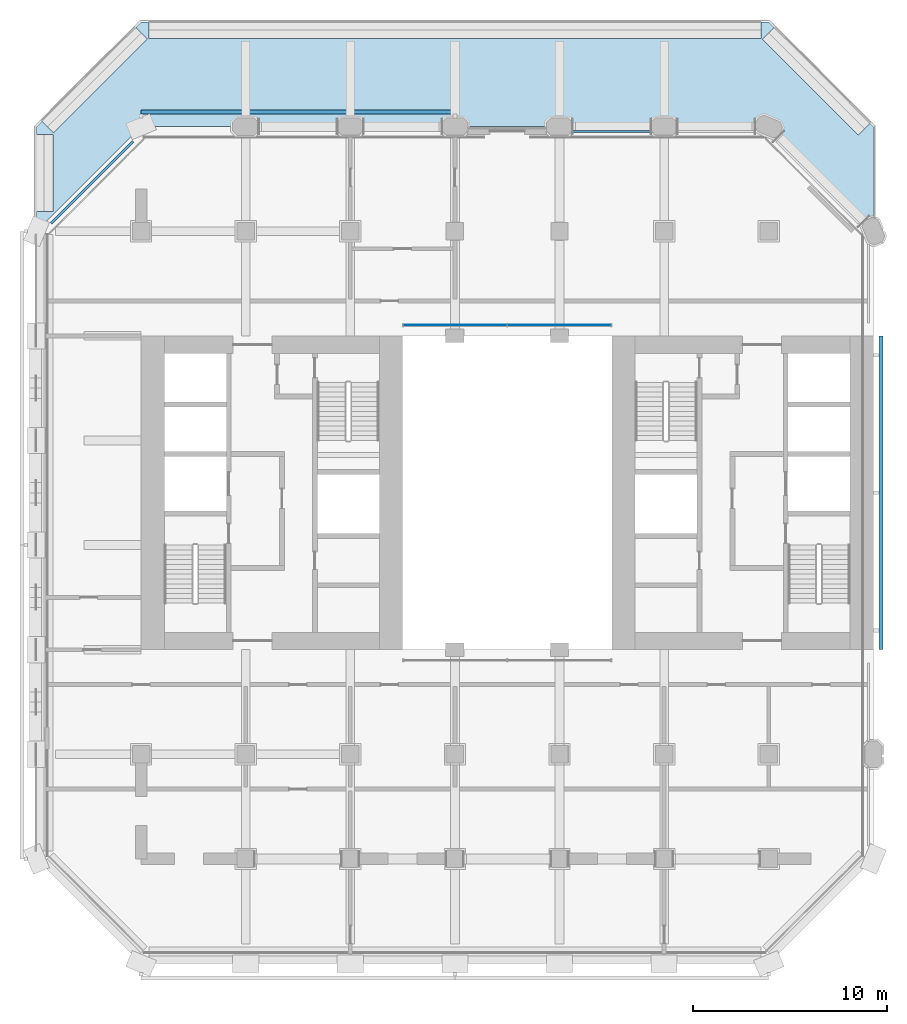
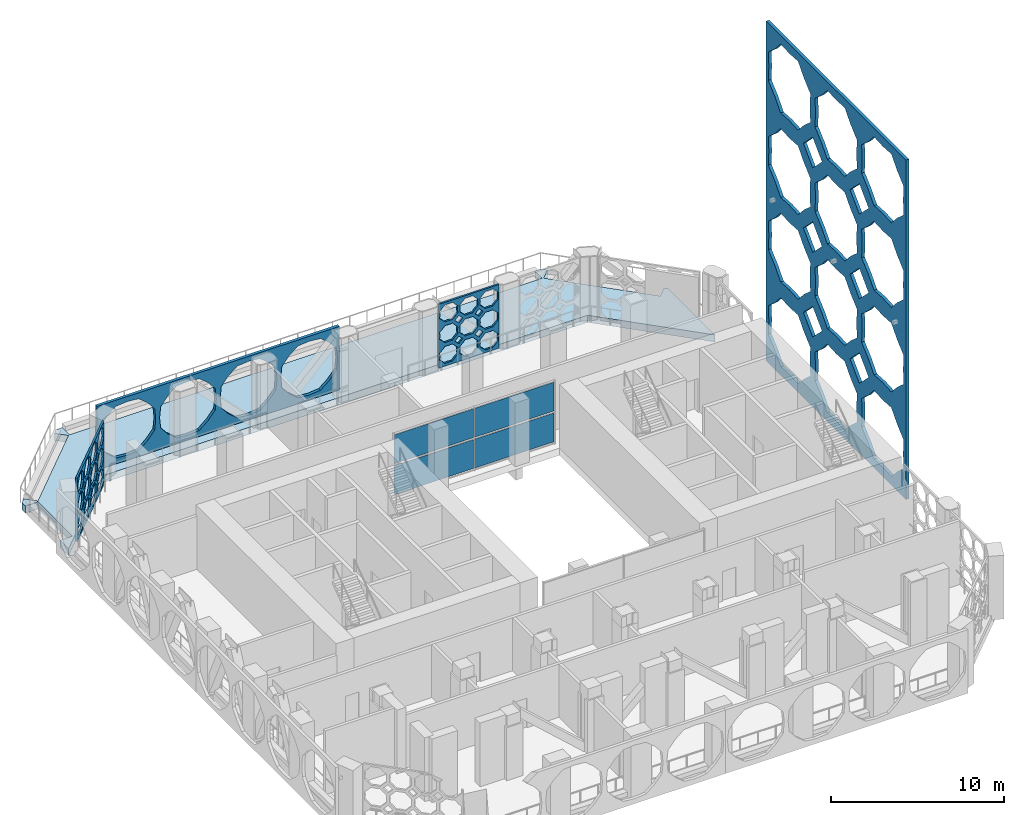
# One storey, part 7 of 17: 8 plates, 1 slab, 1 element without a shape of its own.
"""IFC4 building model written with IfcOpenShell, lengths in metres."""

import ifcopenshell
import ifcopenshell.guid

model = None  # the IFC model being written
_history = None  # IfcOwnerHistory: only IFC2X3 demands one
_inside = {}  # id of a spatial element -> (the spatial element, [elements in it])
_under = {}  # id of a project, library or spatial element -> (it, [spatial elements below it])
_declared = {}  # id of a project -> (the project, [libraries it declares])
_typed = {}  # id of a type object -> (the type object, [elements of that type])
_made_of = {}  # id of a material, layer set ... -> (it, [elements and type objects made of it])


def new_model(schema):
    """Start an empty IFC model of exactly this schema.

    Asked for "IFC4X3", IfcOpenShell would pick the latest addendum, in which some entities
    have other attributes; the version numbers below select the first issue.
    IFC2X3 requires an IfcOwnerHistory on every rooted entity: one is made here for all.
    """
    global model, _history
    if schema == "IFC4X3":
        model = ifcopenshell.file(schema_version=(4, 3, 0, 0))
    else:
        model = ifcopenshell.file(schema=schema)
    _inside.clear()
    _under.clear()
    _declared.clear()
    _typed.clear()
    _made_of.clear()
    _history = None
    if model.schema == "IFC2X3":
        org = make("IfcOrganization", Name="unknown")
        user = make(
            "IfcPersonAndOrganization",
            ThePerson=make("IfcPerson", FamilyName="unknown"),
            TheOrganization=org,
        )
        app = make(
            "IfcApplication",
            ApplicationDeveloper=org,
            Version="unknown",
            ApplicationFullName="unknown",
            ApplicationIdentifier="unknown",
        )
        _history = make(
            "IfcOwnerHistory",
            OwningUser=user,
            OwningApplication=app,
            ChangeAction="ADDED",
            CreationDate=0,
        )
    return model


def make(cls, **values):
    """One entity of the class cls with the attributes given. An attribute that is None is left unset."""
    return model.create_entity(
        cls, **{name: value for name, value in values.items() if value is not None}
    )


def rooted(cls, **values):
    """An entity with a GlobalId (a new one), such as an element, a storey or a relation."""
    return make(cls, GlobalId=ifcopenshell.guid.new(), OwnerHistory=_history, **values)


def si_unit(unit_type, name, prefix=None):
    """IfcSIUnit, for example si_unit("LENGTHUNIT", "METRE", prefix="MILLI")."""
    return make("IfcSIUnit", UnitType=unit_type, Prefix=prefix, Name=name)


def assignment(units):
    """IfcUnitAssignment: the units of a project."""
    return None if units is None else make("IfcUnitAssignment", Units=units)


def point(xyz):
    """IfcCartesianPoint."""
    return None if xyz is None else make("IfcCartesianPoint", Coordinates=xyz)


def direction(xyz):
    """IfcDirection."""
    return None if xyz is None else make("IfcDirection", DirectionRatios=xyz)


def frame(location, z_axis=None, x_axis=None):
    """IfcAxis2Placement3D, a coordinate frame: its origin and axes. An axis left out is left unset."""
    return make(
        "IfcAxis2Placement3D",
        Location=point(location),
        Axis=direction(z_axis),
        RefDirection=direction(x_axis),
    )


def frame_2d(location, x_axis=None):
    """IfcAxis2Placement2D, a coordinate frame in the plane: its origin and x axis."""
    return make(
        "IfcAxis2Placement2D", Location=point(location), RefDirection=direction(x_axis)
    )


def origin():
    """The frame at (0, 0, 0) with its axes left unset."""
    return frame((0.0, 0.0, 0.0))


def origin_2d():
    """The frame at (0, 0) in the plane with its x axis left unset."""
    return frame_2d((0.0, 0.0))


def place(relative_to, where):
    """IfcLocalPlacement: puts the frame where relative to a parent placement (None: the world)."""
    return make(
        "IfcLocalPlacement", PlacementRelTo=relative_to, RelativePlacement=where
    )


def context(
    kind, dimensions, precision=None, world=None, true_north=None, identifier=None
):
    """IfcGeometricRepresentationContext, for example the 3D "Model" context."""
    return make(
        "IfcGeometricRepresentationContext",
        ContextIdentifier=identifier,
        ContextType=kind,
        CoordinateSpaceDimension=dimensions,
        Precision=precision,
        WorldCoordinateSystem=world,
        TrueNorth=true_north,
    )


def subcontext(parent, identifier, kind, view, scale=None):
    """IfcGeometricRepresentationSubContext, for example "Body" below "Model"."""
    return make(
        "IfcGeometricRepresentationSubContext",
        ContextIdentifier=identifier,
        ContextType=kind,
        ParentContext=parent,
        TargetScale=scale,
        TargetView=view,
    )


def project(units=None, contexts=None):
    """IfcProject with its units and contexts."""
    return rooted(
        "IfcProject",
        Name="project",
        RepresentationContexts=contexts,
        UnitsInContext=assignment(units),
    )


def spatial(cls, under=None, at=None, **own):
    """A site, building, storey or space (cls), placed at a placement, below another one or the project."""
    s = rooted(cls, ObjectPlacement=at, **own)
    if under is not None:
        _under.setdefault(under.id(), (under, []))[1].append(s)
    return s


def polyline(points):
    """IfcPolyline through the points."""
    return make("IfcPolyline", Points=[point(p) for p in points])


def profile(cls, at=None, kind="AREA", **sizes):
    """A parametric profile (cls). Its sizes go by their IFC names, for example OverallWidth=200.0."""
    return make(cls, ProfileType=kind, Position=at, **sizes)


def rectangle(**sizes):
    """IfcRectangleProfileDef."""
    return profile("IfcRectangleProfileDef", **sizes)


def outline(outer, holes=None, kind="AREA"):
    """IfcArbitraryClosedProfileDef: a profile drawn as a closed curve; with holes, ...WithVoids."""
    if holes is None:
        return make("IfcArbitraryClosedProfileDef", ProfileType=kind, OuterCurve=outer)
    return make(
        "IfcArbitraryProfileDefWithVoids",
        ProfileType=kind,
        OuterCurve=outer,
        InnerCurves=holes,
    )


def extrude(swept, where, along, depth):
    """IfcExtrudedAreaSolid: the profile swept, set in the frame where, extruded along a direction by depth."""
    return make(
        "IfcExtrudedAreaSolid",
        SweptArea=swept,
        Position=where,
        ExtrudedDirection=direction(along),
        Depth=depth,
    )


def shape(context_of_items, identifier, shape_type, items):
    """IfcShapeRepresentation: the items that make up one representation, for example the "Body"."""
    return make(
        "IfcShapeRepresentation",
        ContextOfItems=context_of_items,
        RepresentationIdentifier=identifier,
        RepresentationType=shape_type,
        Items=items,
    )


def material(Name=None, Category=None):
    """IfcMaterial."""
    return make("IfcMaterial", Name=Name, Category=Category)


def layer(
    of_material, thickness, ventilated=None, Name=None, Category=None, Priority=None
):
    """IfcMaterialLayer: one layer of a wall or slab, of a material (None: an air gap)."""
    return make(
        "IfcMaterialLayer",
        Material=of_material,
        LayerThickness=thickness,
        IsVentilated=ventilated,
        Name=Name,
        Category=Category,
        Priority=Priority,
    )


def layer_set(layers, Name=None):
    """IfcMaterialLayerSet."""
    return make("IfcMaterialLayerSet", MaterialLayers=layers, LayerSetName=Name)


def made_of(thing, what):
    """Note that an element or type object is made of a material, layer set ...; save() writes the relation."""
    if what is not None:
        _made_of.setdefault(what.id(), (what, []))[1].append(thing)
    return thing


def type_object(cls, material=None, **own):
    """A type object (cls), such as IfcWallType, which elements share."""
    return made_of(rooted(cls, **own), material)


def element(
    cls,
    number,
    at=None,
    inside=None,
    cuts=None,
    type_object=None,
    material=None,
    context=None,
    identifier="Body",
    shape_type=None,
    held_by="IfcProductDefinitionShape",
    body=None,
    shapes=None,
    **own,
):
    """One element of the class cls, such as IfcWall. Its Tag is "e" and its number.

    at: its placement. inside: the storey or other place that contains it. cuts: it is an
    opening in that element (IfcRelVoidsElement). A single representation is given by context,
    identifier, shape_type and body (its items); several are given by shapes. held_by: the class
    of the entity that holds the representations. save() writes the other relations.
    """
    e = rooted(cls, Tag="e%d" % number, ObjectPlacement=at, **own)
    if body is not None:
        shapes = [shape(context, identifier, shape_type, body)]
    if shapes is not None:
        e.Representation = make(held_by, Representations=shapes)
    if inside is not None:
        _inside.setdefault(inside.id(), (inside, []))[1].append(e)
    if cuts is not None:
        rooted(
            "IfcRelVoidsElement", RelatingBuildingElement=cuts, RelatedOpeningElement=e
        )
    if type_object is not None:
        _typed.setdefault(type_object.id(), (type_object, []))[1].append(e)
    return made_of(e, material)


def aggregate(whole, parts):
    """IfcRelAggregates: a whole, such as a stair, and the parts it consists of."""
    return rooted("IfcRelAggregates", RelatingObject=whole, RelatedObjects=parts)


def save(model, path):
    """Write the relations noted so far, then the file.

    IfcRelAggregates (storeys below a building ...), IfcRelContainedInSpatialStructure (elements
    in a storey), IfcRelDefinesByType, IfcRelAssociatesMaterial and IfcRelDeclares: one each for
    every whole, place, type object, material and project.
    """
    for whole, parts in _under.values():
        aggregate(whole, parts)
    for where, things in _inside.values():
        rooted(
            "IfcRelContainedInSpatialStructure",
            RelatedElements=things,
            RelatingStructure=where,
        )
    for kind, things in _typed.values():
        rooted("IfcRelDefinesByType", RelatedObjects=things, RelatingType=kind)
    for what, things in _made_of.values():
        rooted("IfcRelAssociatesMaterial", RelatedObjects=things, RelatingMaterial=what)
    for by, libraries in _declared.values():
        rooted("IfcRelDeclares", RelatingContext=by, RelatedDefinitions=libraries)
    model.write(path)


model = new_model("IFC4")

# Units and contexts
model_context = context("Model", 3, precision=1e-05, world=origin(), true_north=direction((0.0, 1.0)))
body_context = subcontext(model_context, "Body", "Model", "MODEL_VIEW")
ifc_project = project(units=[si_unit("LENGTHUNIT", "METRE"), si_unit("AREAUNIT", "SQUARE_METRE"), si_unit("VOLUMEUNIT", "CUBIC_METRE"), si_unit("PLANEANGLEUNIT", "RADIAN"), si_unit("MASSUNIT", "GRAM", prefix="KILO")], contexts=[model_context])

# Site, building, storey
site_placement = place(None, origin())
site = spatial("IfcSite", under=ifc_project, at=site_placement, CompositionType="ELEMENT")
building_placement = place(site_placement, origin())
building = spatial("IfcBuilding", under=site, at=building_placement, Name="Tabaq Tower and Sports Hall", CompositionType="ELEMENT")
storey_placement = place(building_placement, frame((0.0, 0.0, 125.800048828125)))
storey = spatial("IfcBuildingStorey", under=building, at=storey_placement, Name="L30", CompositionType="ELEMENT", Elevation=125.800048828125)

# Curtain wall, plates
ifc_material_1 = material(Name="Aluminium alloy 6063-T6 framed glazing", Category="aluminium")
curtain_wall_type = type_object("IfcCurtainWallType", Name="CW1 curtain wall", PredefinedType="USERDEFINED", material=ifc_material_1)
curtain_wall_placement = place(storey_placement, origin())
curtain_wall = element("IfcCurtainWall", 1, at=curtain_wall_placement, inside=storey, type_object=curtain_wall_type, Name="Atrium glazing L30 N", ObjectType="ATRIUM ENCLOSURE", PredefinedType="USERDEFINED")
ifc_material_2 = material(Name="Clear low-emissivity glass 28 mm", Category="glass")
ifc_layer_1 = layer(ifc_material_2, 0.028076171875)
ifc_layer_set_1 = layer_set([ifc_layer_1], Name="CW1 glass panel 28")
plate_type_1 = type_object("IfcPlateType", Name="CW1 glass panel 28", PredefinedType="CURTAIN_PANEL", material=ifc_layer_set_1)
plate_1_placement = place(storey_placement, frame((21.614990234375, 32.949951171875, 0.139892578125), z_axis=(0.0, 0.0, 1.0), x_axis=(1.0, 0.0, 0.0)))
plate_1 = element("IfcPlate", 2, at=plate_1_placement, type_object=plate_type_1, Name="CW1 panel 1.1", PredefinedType="CURTAIN_PANEL", context=body_context, shape_type="SweptSolid", body=[
    extrude(rectangle(XDim=5.31005859375, YDim=0.028076171875, at=origin_2d()), origin(), (0.0, 0.0, 1.0), 2.0400390625),
])
plate_2_placement = place(storey_placement, frame((21.614990234375, 32.949951171875, 2.31982421875), z_axis=(0.0, 0.0, 1.0), x_axis=(1.0, 0.0, 0.0)))
plate_2 = element("IfcPlate", 3, at=plate_2_placement, type_object=plate_type_1, Name="CW1 panel 1.2", PredefinedType="CURTAIN_PANEL", context=body_context, shape_type="SweptSolid", body=[
    extrude(rectangle(XDim=5.31005859375, YDim=0.028076171875, at=origin_2d()), origin(), (0.0, 0.0, 1.0), 2.0400390625),
])
plate_3_placement = place(storey_placement, frame((26.985107421875, 32.949951171875, 0.139892578125), z_axis=(0.0, 0.0, 1.0), x_axis=(1.0, 0.0, 0.0)))
plate_3 = element("IfcPlate", 4, at=plate_3_placement, type_object=plate_type_1, Name="CW1 panel 2.1", PredefinedType="CURTAIN_PANEL", context=body_context, shape_type="SweptSolid", body=[
    extrude(rectangle(XDim=5.31005859375, YDim=0.028076171875, at=origin_2d()), origin(), (0.0, 0.0, 1.0), 2.0400390625),
])
plate_4_placement = place(storey_placement, frame((26.985107421875, 32.949951171875, 2.31982421875), z_axis=(0.0, 0.0, 1.0), x_axis=(1.0, 0.0, 0.0)))
plate_4 = element("IfcPlate", 5, at=plate_4_placement, type_object=plate_type_1, Name="CW1 panel 2.2", PredefinedType="CURTAIN_PANEL", context=body_context, shape_type="SweptSolid", body=[
    extrude(rectangle(XDim=5.31005859375, YDim=0.028076171875, at=origin_2d()), origin(), (0.0, 0.0, 1.0), 2.0400390625),
])
aggregate(curtain_wall, [plate_1, plate_2, plate_3, plate_4])

# Slab
ifc_material_3 = material(Name="Concrete C40/50", Category="concrete")
ifc_layer_2 = layer(ifc_material_3, 0.5)
ifc_layer_set_2 = layer_set([ifc_layer_2], Name="PT TERRACE SLAB 500 C40/50")
slab_type = type_object("IfcSlabType", Name="PT TERRACE SLAB 500 C40/50", PredefinedType="FLOOR", material=ifc_layer_set_2)
slab_placement = place(storey_placement, frame((0.0, 0.0, -0.5)))
element("IfcSlab", 6, at=slab_placement, inside=storey, type_object=slab_type, Name="Terrace Slab L30", PredefinedType="FLOOR", context=body_context, shape_type="SweptSolid", body=[
    extrude(outline(polyline([(5.802001953125, 48.60009765625), (5.39990234375, 48.60009765625), (5.11572265625, 48.315673828125), (5.64599609375, 47.785400390625), (5.716796875, 47.714599609375), (0.88525390625, 42.88330078125), (0.284423828125, 43.484375), (0.0, 43.199951171875), (0.0, 42.7978515625), (0.75, 42.7978515625), (0.85009765625, 42.7978515625), (0.85009765625, 38.81201171875), (0.75, 38.81201171875), (0.0, 38.81201171875), (0.0, 37.800048828125), (5.39990234375, 43.199951171875), (37.800048828125, 43.199951171875), (43.199951171875, 37.800048828125), (43.199951171875, 43.199951171875), (43.023193359375, 43.376708984375), (42.492919921875, 42.846435546875), (42.422119140625, 42.775634765625), (37.483154296875, 47.714599609375), (37.553955078125, 47.785400390625), (38.084228515625, 48.315673828125), (37.800048828125, 48.60009765625), (37.39794921875, 48.60009765625), (37.39794921875, 47.85009765625), (37.39794921875, 47.75), (5.802001953125, 47.75), (5.802001953125, 47.85009765625), (5.802001953125, 48.60009765625)])), origin(), (0.0, 0.0, 1.0), 0.5),
])

# Plates
ifc_material_4 = material(Name="White precast concrete C60/75 pierced screen", Category="concrete")
ifc_layer_3 = layer(ifc_material_4, 0.199951171875)
ifc_layer_set_3 = layer_set([ifc_layer_3], Name="White precast concrete C60/75 girih screen 200")
plate_type_2 = type_object("IfcPlateType", Name="White precast concrete C60/75 girih screen 200", PredefinedType="USERDEFINED", material=ifc_layer_set_3)
plate_5_placement = place(storey_placement, frame((21.60009765625, 43.949951171875, 0.0), z_axis=(0.0, 0.0, 1.0), x_axis=(-1.0, 0.0, 0.0)))
element("IfcPlate", 7, at=plate_5_placement, inside=storey, type_object=plate_type_2, Name="Girih screen L30 N", ObjectType="SCREEN", PredefinedType="USERDEFINED", context=body_context, shape_type="SweptSolid", body=[
    extrude(outline(polyline([(0.0, 0.0), (16.2001953125, 0.0), (16.2001953125, 4.5), (0.0, 4.5), (0.0, 0.0)]), holes=[polyline([(3.85107421875, 3.00634765625), (3.36669921875, 3.591552734375), (2.78125, 4.075927734375), (2.02490234375, 4.147216796875), (1.2685546875, 4.075927734375), (0.683349609375, 3.591552734375), (0.198974609375, 3.00634765625), (0.127685546875, 2.25), (0.198974609375, 1.49365234375), (0.683349609375, 0.908447265625), (1.2685546875, 0.424072265625), (2.02490234375, 0.3525390625), (2.78125, 0.424072265625), (3.36669921875, 0.908447265625), (3.85107421875, 1.49365234375), (3.92236328125, 2.25), (3.85107421875, 3.00634765625)]), polyline([(7.90087890625, 3.00634765625), (7.41650390625, 3.591552734375), (6.831298828125, 4.075927734375), (6.074951171875, 4.147216796875), (5.318603515625, 4.075927734375), (4.7333984375, 3.591552734375), (4.2490234375, 3.00634765625), (4.177734375, 2.25), (4.2490234375, 1.49365234375), (4.7333984375, 0.908447265625), (5.318603515625, 0.424072265625), (6.074951171875, 0.3525390625), (6.831298828125, 0.424072265625), (7.41650390625, 0.908447265625), (7.90087890625, 1.49365234375), (7.972412109375, 2.25), (7.90087890625, 3.00634765625)]), polyline([(11.950927734375, 3.00634765625), (11.466552734375, 3.591552734375), (10.88134765625, 4.075927734375), (10.125, 4.147216796875), (9.36865234375, 4.075927734375), (8.783447265625, 3.591552734375), (8.299072265625, 3.00634765625), (8.2275390625, 2.25), (8.299072265625, 1.49365234375), (8.783447265625, 0.908447265625), (9.36865234375, 0.424072265625), (10.125, 0.3525390625), (10.88134765625, 0.424072265625), (11.466552734375, 0.908447265625), (11.950927734375, 1.49365234375), (12.0224609375, 2.25), (11.950927734375, 3.00634765625)]), polyline([(16.0009765625, 3.00634765625), (15.5166015625, 3.591552734375), (14.931396484375, 4.075927734375), (14.175048828125, 4.147216796875), (13.418701171875, 4.075927734375), (12.83349609375, 3.591552734375), (12.34912109375, 3.00634765625), (12.277587890625, 2.25), (12.34912109375, 1.49365234375), (12.83349609375, 0.908447265625), (13.418701171875, 0.424072265625), (14.175048828125, 0.3525390625), (14.931396484375, 0.424072265625), (15.5166015625, 0.908447265625), (16.0009765625, 1.49365234375), (16.072265625, 2.25), (16.0009765625, 3.00634765625)])]), frame((0.0, 0.10009765625, 0.0), z_axis=(0.0, -1.0, 0.0), x_axis=(1.0, 0.0, 0.0)), (0.0, 0.0, 1.0), 0.199951171875),
])
plate_6_placement = place(storey_placement, frame((43.60009765625, 16.199951171875, 1.349853515625), z_axis=(0.0, 0.0, 1.0), x_axis=(0.0, 1.0, 0.0)))
element("IfcPlate", 8, at=plate_6_placement, inside=storey, type_object=plate_type_2, Name="Girih screen S1 E", ObjectType="SCREEN", PredefinedType="USERDEFINED", context=body_context, shape_type="SweptSolid", body=[
    extrude(outline(polyline([(0.0, 0.0), (16.199951171875, 0.0), (16.199951171875, 24.0), (0.0, 24.0), (0.0, 0.0)]), holes=[polyline([(5.134521484375, 4.046142578125), (4.376953125, 4.714599609375), (3.70849609375, 5.47216796875), (2.699951171875, 5.4091796875), (1.691650390625, 5.47216796875), (1.02294921875, 4.714599609375), (0.265380859375, 4.046142578125), (0.328369140625, 3.03759765625), (0.265380859375, 2.029052734375), (1.02294921875, 1.360595703125), (1.691650390625, 0.60302734375), (2.699951171875, 0.666015625), (3.70849609375, 0.60302734375), (4.376953125, 1.360595703125), (5.134521484375, 2.029052734375), (5.07177734375, 3.03759765625), (5.134521484375, 4.046142578125)]), polyline([(5.134521484375, 10.02099609375), (4.376953125, 10.689697265625), (3.70849609375, 11.447265625), (2.699951171875, 11.38427734375), (1.691650390625, 11.447265625), (1.02294921875, 10.689697265625), (0.265380859375, 10.02099609375), (0.328369140625, 9.0126953125), (0.265380859375, 8.004150390625), (1.02294921875, 7.33544921875), (1.691650390625, 6.577880859375), (2.699951171875, 6.640869140625), (3.70849609375, 6.577880859375), (4.376953125, 7.33544921875), (5.134521484375, 8.004150390625), (5.07177734375, 9.0126953125), (5.134521484375, 10.02099609375)]), polyline([(5.134521484375, 15.99609375), (4.376953125, 16.66455078125), (3.70849609375, 17.422119140625), (2.699951171875, 17.359375), (1.691650390625, 17.422119140625), (1.02294921875, 16.66455078125), (0.265380859375, 15.99609375), (0.328369140625, 14.987548828125), (0.265380859375, 13.979248046875), (1.02294921875, 13.310546875), (1.691650390625, 12.552978515625), (2.699951171875, 12.615966796875), (3.70849609375, 12.552978515625), (4.376953125, 13.310546875), (5.134521484375, 13.979248046875), (5.07177734375, 14.987548828125), (5.134521484375, 15.99609375)]), polyline([(5.134521484375, 21.970947265625), (4.376953125, 22.6396484375), (3.70849609375, 23.397216796875), (2.699951171875, 23.334228515625), (1.691650390625, 23.397216796875), (1.02294921875, 22.6396484375), (0.265380859375, 21.970947265625), (0.328369140625, 20.962646484375), (0.265380859375, 19.9541015625), (1.02294921875, 19.28564453125), (1.691650390625, 18.528076171875), (2.699951171875, 18.5908203125), (3.70849609375, 18.528076171875), (4.376953125, 19.28564453125), (5.134521484375, 19.9541015625), (5.07177734375, 20.962646484375), (5.134521484375, 21.970947265625)]), polyline([(10.53466796875, 4.046142578125), (9.777099609375, 4.714599609375), (9.1083984375, 5.47216796875), (8.10009765625, 5.4091796875), (7.091552734375, 5.47216796875), (6.4228515625, 4.714599609375), (5.665283203125, 4.046142578125), (5.728271484375, 3.03759765625), (5.665283203125, 2.029052734375), (6.4228515625, 1.360595703125), (7.091552734375, 0.60302734375), (8.10009765625, 0.666015625), (9.1083984375, 0.60302734375), (9.777099609375, 1.360595703125), (10.53466796875, 2.029052734375), (10.4716796875, 3.03759765625), (10.53466796875, 4.046142578125)]), polyline([(10.53466796875, 10.02099609375), (9.777099609375, 10.689697265625), (9.1083984375, 11.447265625), (8.10009765625, 11.38427734375), (7.091552734375, 11.447265625), (6.4228515625, 10.689697265625), (5.665283203125, 10.02099609375), (5.728271484375, 9.0126953125), (5.665283203125, 8.004150390625), (6.4228515625, 7.33544921875), (7.091552734375, 6.577880859375), (8.10009765625, 6.640869140625), (9.1083984375, 6.577880859375), (9.777099609375, 7.33544921875), (10.53466796875, 8.004150390625), (10.4716796875, 9.0126953125), (10.53466796875, 10.02099609375)]), polyline([(10.53466796875, 15.99609375), (9.777099609375, 16.66455078125), (9.1083984375, 17.422119140625), (8.10009765625, 17.359375), (7.091552734375, 17.422119140625), (6.4228515625, 16.66455078125), (5.665283203125, 15.99609375), (5.728271484375, 14.987548828125), (5.665283203125, 13.979248046875), (6.4228515625, 13.310546875), (7.091552734375, 12.552978515625), (8.10009765625, 12.615966796875), (9.1083984375, 12.552978515625), (9.777099609375, 13.310546875), (10.53466796875, 13.979248046875), (10.4716796875, 14.987548828125), (10.53466796875, 15.99609375)]), polyline([(10.53466796875, 21.970947265625), (9.777099609375, 22.6396484375), (9.1083984375, 23.397216796875), (8.10009765625, 23.334228515625), (7.091552734375, 23.397216796875), (6.4228515625, 22.6396484375), (5.665283203125, 21.970947265625), (5.728271484375, 20.962646484375), (5.665283203125, 19.9541015625), (6.4228515625, 19.28564453125), (7.091552734375, 18.528076171875), (8.10009765625, 18.5908203125), (9.1083984375, 18.528076171875), (9.777099609375, 19.28564453125), (10.53466796875, 19.9541015625), (10.4716796875, 20.962646484375), (10.53466796875, 21.970947265625)]), polyline([(15.9345703125, 4.046142578125), (15.177001953125, 4.714599609375), (14.508544921875, 5.47216796875), (13.5, 5.4091796875), (12.491455078125, 5.47216796875), (11.822998046875, 4.714599609375), (11.0654296875, 4.046142578125), (11.12841796875, 3.03759765625), (11.0654296875, 2.029052734375), (11.822998046875, 1.360595703125), (12.491455078125, 0.60302734375), (13.5, 0.666015625), (14.508544921875, 0.60302734375), (15.177001953125, 1.360595703125), (15.9345703125, 2.029052734375), (15.87158203125, 3.03759765625), (15.9345703125, 4.046142578125)]), polyline([(15.9345703125, 10.02099609375), (15.177001953125, 10.689697265625), (14.508544921875, 11.447265625), (13.5, 11.38427734375), (12.491455078125, 11.447265625), (11.822998046875, 10.689697265625), (11.0654296875, 10.02099609375), (11.12841796875, 9.0126953125), (11.0654296875, 8.004150390625), (11.822998046875, 7.33544921875), (12.491455078125, 6.577880859375), (13.5, 6.640869140625), (14.508544921875, 6.577880859375), (15.177001953125, 7.33544921875), (15.9345703125, 8.004150390625), (15.87158203125, 9.0126953125), (15.9345703125, 10.02099609375)]), polyline([(15.9345703125, 15.99609375), (15.177001953125, 16.66455078125), (14.508544921875, 17.422119140625), (13.5, 17.359375), (12.491455078125, 17.422119140625), (11.822998046875, 16.66455078125), (11.0654296875, 15.99609375), (11.12841796875, 14.987548828125), (11.0654296875, 13.979248046875), (11.822998046875, 13.310546875), (12.491455078125, 12.552978515625), (13.5, 12.615966796875), (14.508544921875, 12.552978515625), (15.177001953125, 13.310546875), (15.9345703125, 13.979248046875), (15.87158203125, 14.987548828125), (15.9345703125, 15.99609375)]), polyline([(15.9345703125, 21.970947265625), (15.177001953125, 22.6396484375), (14.508544921875, 23.397216796875), (13.5, 23.334228515625), (12.491455078125, 23.397216796875), (11.822998046875, 22.6396484375), (11.0654296875, 21.970947265625), (11.12841796875, 20.962646484375), (11.0654296875, 19.9541015625), (11.822998046875, 19.28564453125), (12.491455078125, 18.528076171875), (13.5, 18.5908203125), (14.508544921875, 18.528076171875), (15.177001953125, 19.28564453125), (15.9345703125, 19.9541015625), (15.87158203125, 20.962646484375), (15.9345703125, 21.970947265625)]), polyline([(6.47998046875, 6.025146484375), (5.39990234375, 7.10498046875), (4.320068359375, 6.025146484375), (5.39990234375, 4.945068359375), (6.47998046875, 6.025146484375)]), polyline([(6.47998046875, 12.0), (5.39990234375, 13.080078125), (4.320068359375, 12.0), (5.39990234375, 10.920166015625), (6.47998046875, 12.0)]), polyline([(6.47998046875, 17.97509765625), (5.39990234375, 19.05517578125), (4.320068359375, 17.97509765625), (5.39990234375, 16.89501953125), (6.47998046875, 17.97509765625)]), polyline([(11.8798828125, 6.025146484375), (10.800048828125, 7.10498046875), (9.719970703125, 6.025146484375), (10.800048828125, 4.945068359375), (11.8798828125, 6.025146484375)]), polyline([(11.8798828125, 12.0), (10.800048828125, 13.080078125), (9.719970703125, 12.0), (10.800048828125, 10.920166015625), (11.8798828125, 12.0)]), polyline([(11.8798828125, 17.97509765625), (10.800048828125, 19.05517578125), (9.719970703125, 17.97509765625), (10.800048828125, 16.89501953125), (11.8798828125, 17.97509765625)])]), frame((0.0, 0.10009765625, 0.0), z_axis=(0.0, -1.0, 0.0), x_axis=(1.0, 0.0, 0.0)), (0.0, 0.0, 1.0), 0.199951171875),
])
ifc_material_5 = material(Name="White precast concrete C60/75 pierced screen", Category="concrete")
ifc_layer_4 = layer(ifc_material_5, 0.1201171875)
ifc_layer_set_4 = layer_set([ifc_layer_4], Name="White precast concrete C60/75 screen 120")
plate_type_3 = type_object("IfcPlateType", Name="White precast concrete C60/75 screen 120", PredefinedType="USERDEFINED", material=ifc_layer_set_4)
plate_7_placement = place(storey_placement, frame((31.72509765625, 42.949951171875, 0.0), z_axis=(0.0, 0.0, 1.0), x_axis=(-1.0, 0.0, 0.0)))
element("IfcPlate", 9, at=plate_7_placement, inside=storey, type_object=plate_type_3, Name="Pierced screen L30 N", ObjectType="SCREEN", PredefinedType="USERDEFINED", context=body_context, shape_type="SweptSolid", body=[
    extrude(outline(polyline([(0.0, 0.0), (4.050048828125, 0.0), (4.050048828125, 4.5), (0.0, 4.5), (0.0, 0.0)]), holes=[polyline([(1.28369140625, 1.035400390625), (1.09423828125, 1.20263671875), (0.927001953125, 1.391845703125), (0.675048828125, 1.376220703125), (0.4228515625, 1.391845703125), (0.255859375, 1.20263671875), (0.06640625, 1.035400390625), (0.08203125, 0.783203125), (0.06640625, 0.53125), (0.255859375, 0.364013671875), (0.4228515625, 0.174560546875), (0.675048828125, 0.1904296875), (0.927001953125, 0.174560546875), (1.09423828125, 0.364013671875), (1.28369140625, 0.53125), (1.267822265625, 0.783203125), (1.28369140625, 1.035400390625)]), polyline([(1.28369140625, 2.501953125), (1.09423828125, 2.669189453125), (0.927001953125, 2.858642578125), (0.675048828125, 2.8427734375), (0.4228515625, 2.858642578125), (0.255859375, 2.669189453125), (0.06640625, 2.501953125), (0.08203125, 2.25), (0.06640625, 1.997802734375), (0.255859375, 1.830810546875), (0.4228515625, 1.641357421875), (0.675048828125, 1.656982421875), (0.927001953125, 1.641357421875), (1.09423828125, 1.830810546875), (1.28369140625, 1.997802734375), (1.267822265625, 2.25), (1.28369140625, 2.501953125)]), polyline([(1.28369140625, 3.96875), (1.09423828125, 4.135986328125), (0.927001953125, 4.3251953125), (0.675048828125, 4.3095703125), (0.4228515625, 4.3251953125), (0.255859375, 4.135986328125), (0.06640625, 3.96875), (0.08203125, 3.716552734375), (0.06640625, 3.464599609375), (0.255859375, 3.29736328125), (0.4228515625, 3.10791015625), (0.675048828125, 3.123779296875), (0.927001953125, 3.10791015625), (1.09423828125, 3.29736328125), (1.28369140625, 3.464599609375), (1.267822265625, 3.716552734375), (1.28369140625, 3.96875)]), polyline([(2.633544921875, 1.035400390625), (2.4443359375, 1.20263671875), (2.277099609375, 1.391845703125), (2.02490234375, 1.376220703125), (1.77294921875, 1.391845703125), (1.605712890625, 1.20263671875), (1.416259765625, 1.035400390625), (1.43212890625, 0.783203125), (1.416259765625, 0.53125), (1.605712890625, 0.364013671875), (1.77294921875, 0.174560546875), (2.02490234375, 0.1904296875), (2.277099609375, 0.174560546875), (2.4443359375, 0.364013671875), (2.633544921875, 0.53125), (2.617919921875, 0.783203125), (2.633544921875, 1.035400390625)]), polyline([(2.633544921875, 2.501953125), (2.4443359375, 2.669189453125), (2.277099609375, 2.858642578125), (2.02490234375, 2.8427734375), (1.77294921875, 2.858642578125), (1.605712890625, 2.669189453125), (1.416259765625, 2.501953125), (1.43212890625, 2.25), (1.416259765625, 1.997802734375), (1.605712890625, 1.830810546875), (1.77294921875, 1.641357421875), (2.02490234375, 1.656982421875), (2.277099609375, 1.641357421875), (2.4443359375, 1.830810546875), (2.633544921875, 1.997802734375), (2.617919921875, 2.25), (2.633544921875, 2.501953125)]), polyline([(2.633544921875, 3.96875), (2.4443359375, 4.135986328125), (2.277099609375, 4.3251953125), (2.02490234375, 4.3095703125), (1.77294921875, 4.3251953125), (1.605712890625, 4.135986328125), (1.416259765625, 3.96875), (1.43212890625, 3.716552734375), (1.416259765625, 3.464599609375), (1.605712890625, 3.29736328125), (1.77294921875, 3.10791015625), (2.02490234375, 3.123779296875), (2.277099609375, 3.10791015625), (2.4443359375, 3.29736328125), (2.633544921875, 3.464599609375), (2.617919921875, 3.716552734375), (2.633544921875, 3.96875)]), polyline([(3.983642578125, 1.035400390625), (3.794189453125, 1.20263671875), (3.627197265625, 1.391845703125), (3.375, 1.376220703125), (3.122802734375, 1.391845703125), (2.955810546875, 1.20263671875), (2.766357421875, 1.035400390625), (2.781982421875, 0.783203125), (2.766357421875, 0.53125), (2.955810546875, 0.364013671875), (3.122802734375, 0.174560546875), (3.375, 0.1904296875), (3.627197265625, 0.174560546875), (3.794189453125, 0.364013671875), (3.983642578125, 0.53125), (3.968017578125, 0.783203125), (3.983642578125, 1.035400390625)]), polyline([(3.983642578125, 2.501953125), (3.794189453125, 2.669189453125), (3.627197265625, 2.858642578125), (3.375, 2.8427734375), (3.122802734375, 2.858642578125), (2.955810546875, 2.669189453125), (2.766357421875, 2.501953125), (2.781982421875, 2.25), (2.766357421875, 1.997802734375), (2.955810546875, 1.830810546875), (3.122802734375, 1.641357421875), (3.375, 1.656982421875), (3.627197265625, 1.641357421875), (3.794189453125, 1.830810546875), (3.983642578125, 1.997802734375), (3.968017578125, 2.25), (3.983642578125, 2.501953125)]), polyline([(3.983642578125, 3.96875), (3.794189453125, 4.135986328125), (3.627197265625, 4.3251953125), (3.375, 4.3095703125), (3.122802734375, 4.3251953125), (2.955810546875, 4.135986328125), (2.766357421875, 3.96875), (2.781982421875, 3.716552734375), (2.766357421875, 3.464599609375), (2.955810546875, 3.29736328125), (3.122802734375, 3.10791015625), (3.375, 3.123779296875), (3.627197265625, 3.10791015625), (3.794189453125, 3.29736328125), (3.983642578125, 3.464599609375), (3.968017578125, 3.716552734375), (3.983642578125, 3.96875)]), polyline([(1.6201171875, 1.5166015625), (1.35009765625, 1.78662109375), (1.080078125, 1.5166015625), (1.35009765625, 1.24658203125), (1.6201171875, 1.5166015625)]), polyline([(1.6201171875, 2.9833984375), (1.35009765625, 3.253173828125), (1.080078125, 2.9833984375), (1.35009765625, 2.71337890625), (1.6201171875, 2.9833984375)]), polyline([(2.969970703125, 1.5166015625), (2.699951171875, 1.78662109375), (2.429931640625, 1.5166015625), (2.699951171875, 1.24658203125), (2.969970703125, 1.5166015625)]), polyline([(2.969970703125, 2.9833984375), (2.699951171875, 3.253173828125), (2.429931640625, 2.9833984375), (2.699951171875, 2.71337890625), (2.969970703125, 2.9833984375)])]), frame((0.0, 0.06005859375, 0.0), z_axis=(0.0, -1.0, 0.0), x_axis=(1.0, 0.0, 0.0)), (0.0, 0.0, 1.0), 0.1201171875),
])
plate_8_placement = place(storey_placement, frame((4.993408203125, 42.43994140625, 0.0), z_axis=(0.0, 0.0, 1.0), x_axis=(-0.707086390836, -0.707127170949, 0.0)))
element("IfcPlate", 10, at=plate_8_placement, inside=storey, type_object=plate_type_3, Name="Pierced screen L30 NW", ObjectType="SCREEN", PredefinedType="USERDEFINED", context=body_context, shape_type="SweptSolid", body=[
    extrude(outline(polyline([(0.0, 0.0), (5.98681640625, 0.0), (5.98681640625, 4.5), (0.0, 4.5), (0.0, 0.0)]), holes=[polyline([(1.40966796875, 1.05712890625), (1.203857421875, 1.23876953125), (1.022216796875, 1.444580078125), (0.748291015625, 1.427490234375), (0.474365234375, 1.444580078125), (0.29296875, 1.23876953125), (0.087158203125, 1.05712890625), (0.104248046875, 0.783203125), (0.087158203125, 0.50927734375), (0.29296875, 0.327880859375), (0.474365234375, 0.1220703125), (0.748291015625, 0.13916015625), (1.022216796875, 0.1220703125), (1.203857421875, 0.327880859375), (1.40966796875, 0.50927734375), (1.392578125, 0.783203125), (1.40966796875, 1.05712890625)]), polyline([(1.40966796875, 2.52392578125), (1.203857421875, 2.705322265625), (1.022216796875, 2.9111328125), (0.748291015625, 2.89404296875), (0.474365234375, 2.9111328125), (0.29296875, 2.705322265625), (0.087158203125, 2.52392578125), (0.104248046875, 2.25), (0.087158203125, 1.97607421875), (0.29296875, 1.79443359375), (0.474365234375, 1.588623046875), (0.748291015625, 1.605712890625), (1.022216796875, 1.588623046875), (1.203857421875, 1.79443359375), (1.40966796875, 1.97607421875), (1.392578125, 2.25), (1.40966796875, 2.52392578125)]), polyline([(1.40966796875, 3.990478515625), (1.203857421875, 4.172119140625), (1.022216796875, 4.3779296875), (0.748291015625, 4.36083984375), (0.474365234375, 4.3779296875), (0.29296875, 4.172119140625), (0.087158203125, 3.990478515625), (0.104248046875, 3.716552734375), (0.087158203125, 3.442626953125), (0.29296875, 3.26123046875), (0.474365234375, 3.055419921875), (0.748291015625, 3.072509765625), (1.022216796875, 3.055419921875), (1.203857421875, 3.26123046875), (1.40966796875, 3.442626953125), (1.392578125, 3.716552734375), (1.40966796875, 3.990478515625)]), polyline([(2.90625, 1.05712890625), (2.700439453125, 1.23876953125), (2.51904296875, 1.444580078125), (2.2451171875, 1.427490234375), (1.97119140625, 1.444580078125), (1.78955078125, 1.23876953125), (1.583740234375, 1.05712890625), (1.600830078125, 0.783203125), (1.583740234375, 0.50927734375), (1.78955078125, 0.327880859375), (1.97119140625, 0.1220703125), (2.2451171875, 0.13916015625), (2.51904296875, 0.1220703125), (2.700439453125, 0.327880859375), (2.90625, 0.50927734375), (2.88916015625, 0.783203125), (2.90625, 1.05712890625)]), polyline([(2.90625, 2.52392578125), (2.700439453125, 2.705322265625), (2.51904296875, 2.9111328125), (2.2451171875, 2.89404296875), (1.97119140625, 2.9111328125), (1.78955078125, 2.705322265625), (1.583740234375, 2.52392578125), (1.600830078125, 2.25), (1.583740234375, 1.97607421875), (1.78955078125, 1.79443359375), (1.97119140625, 1.588623046875), (2.2451171875, 1.605712890625), (2.51904296875, 1.588623046875), (2.700439453125, 1.79443359375), (2.90625, 1.97607421875), (2.88916015625, 2.25), (2.90625, 2.52392578125)]), polyline([(2.90625, 3.990478515625), (2.700439453125, 4.172119140625), (2.51904296875, 4.3779296875), (2.2451171875, 4.36083984375), (1.97119140625, 4.3779296875), (1.78955078125, 4.172119140625), (1.583740234375, 3.990478515625), (1.600830078125, 3.716552734375), (1.583740234375, 3.442626953125), (1.78955078125, 3.26123046875), (1.97119140625, 3.055419921875), (2.2451171875, 3.072509765625), (2.51904296875, 3.055419921875), (2.700439453125, 3.26123046875), (2.90625, 3.442626953125), (2.88916015625, 3.716552734375), (2.90625, 3.990478515625)]), polyline([(4.403076171875, 1.05712890625), (4.197265625, 1.23876953125), (4.015625, 1.444580078125), (3.74169921875, 1.427490234375), (3.4677734375, 1.444580078125), (3.2861328125, 1.23876953125), (3.08056640625, 1.05712890625), (3.09765625, 0.783203125), (3.08056640625, 0.50927734375), (3.2861328125, 0.327880859375), (3.4677734375, 0.1220703125), (3.74169921875, 0.13916015625), (4.015625, 0.1220703125), (4.197265625, 0.327880859375), (4.403076171875, 0.50927734375), (4.385986328125, 0.783203125), (4.403076171875, 1.05712890625)]), polyline([(4.403076171875, 2.52392578125), (4.197265625, 2.705322265625), (4.015625, 2.9111328125), (3.74169921875, 2.89404296875), (3.4677734375, 2.9111328125), (3.2861328125, 2.705322265625), (3.08056640625, 2.52392578125), (3.09765625, 2.25), (3.08056640625, 1.97607421875), (3.2861328125, 1.79443359375), (3.4677734375, 1.588623046875), (3.74169921875, 1.605712890625), (4.015625, 1.588623046875), (4.197265625, 1.79443359375), (4.403076171875, 1.97607421875), (4.385986328125, 2.25), (4.403076171875, 2.52392578125)]), polyline([(4.403076171875, 3.990478515625), (4.197265625, 4.172119140625), (4.015625, 4.3779296875), (3.74169921875, 4.36083984375), (3.4677734375, 4.3779296875), (3.2861328125, 4.172119140625), (3.08056640625, 3.990478515625), (3.09765625, 3.716552734375), (3.08056640625, 3.442626953125), (3.2861328125, 3.26123046875), (3.4677734375, 3.055419921875), (3.74169921875, 3.072509765625), (4.015625, 3.055419921875), (4.197265625, 3.26123046875), (4.403076171875, 3.442626953125), (4.385986328125, 3.716552734375), (4.403076171875, 3.990478515625)]), polyline([(5.899658203125, 1.05712890625), (5.69384765625, 1.23876953125), (5.51220703125, 1.444580078125), (5.238525390625, 1.427490234375), (4.964599609375, 1.444580078125), (4.782958984375, 1.23876953125), (4.5771484375, 1.05712890625), (4.59423828125, 0.783203125), (4.5771484375, 0.50927734375), (4.782958984375, 0.327880859375), (4.964599609375, 0.1220703125), (5.238525390625, 0.13916015625), (5.51220703125, 0.1220703125), (5.69384765625, 0.327880859375), (5.899658203125, 0.50927734375), (5.882568359375, 0.783203125), (5.899658203125, 1.05712890625)]), polyline([(5.899658203125, 2.52392578125), (5.69384765625, 2.705322265625), (5.51220703125, 2.9111328125), (5.238525390625, 2.89404296875), (4.964599609375, 2.9111328125), (4.782958984375, 2.705322265625), (4.5771484375, 2.52392578125), (4.59423828125, 2.25), (4.5771484375, 1.97607421875), (4.782958984375, 1.79443359375), (4.964599609375, 1.588623046875), (5.238525390625, 1.605712890625), (5.51220703125, 1.588623046875), (5.69384765625, 1.79443359375), (5.899658203125, 1.97607421875), (5.882568359375, 2.25), (5.899658203125, 2.52392578125)]), polyline([(5.899658203125, 3.990478515625), (5.69384765625, 4.172119140625), (5.51220703125, 4.3779296875), (5.238525390625, 4.36083984375), (4.964599609375, 4.3779296875), (4.782958984375, 4.172119140625), (4.5771484375, 3.990478515625), (4.59423828125, 3.716552734375), (4.5771484375, 3.442626953125), (4.782958984375, 3.26123046875), (4.964599609375, 3.055419921875), (5.238525390625, 3.072509765625), (5.51220703125, 3.055419921875), (5.69384765625, 3.26123046875), (5.899658203125, 3.442626953125), (5.882568359375, 3.716552734375), (5.899658203125, 3.990478515625)]), polyline([(1.7900390625, 1.5166015625), (1.49658203125, 1.81005859375), (1.203369140625, 1.5166015625), (1.49658203125, 1.223388671875), (1.7900390625, 1.5166015625)]), polyline([(1.7900390625, 2.9833984375), (1.49658203125, 3.276611328125), (1.203369140625, 2.9833984375), (1.49658203125, 2.68994140625), (1.7900390625, 2.9833984375)]), polyline([(3.28662109375, 1.5166015625), (2.993408203125, 1.81005859375), (2.699951171875, 1.5166015625), (2.993408203125, 1.223388671875), (3.28662109375, 1.5166015625)]), polyline([(3.28662109375, 2.9833984375), (2.993408203125, 3.276611328125), (2.699951171875, 2.9833984375), (2.993408203125, 2.68994140625), (3.28662109375, 2.9833984375)]), polyline([(4.783447265625, 1.5166015625), (4.489990234375, 1.81005859375), (4.19677734375, 1.5166015625), (4.489990234375, 1.223388671875), (4.783447265625, 1.5166015625)]), polyline([(4.783447265625, 2.9833984375), (4.489990234375, 3.276611328125), (4.19677734375, 2.9833984375), (4.489990234375, 2.68994140625), (4.783447265625, 2.9833984375)])]), frame((0.0, 0.06005859375, 0.0), z_axis=(0.0, -1.0, 0.0), x_axis=(1.0, 0.0, 0.0)), (0.0, 0.0, 1.0), 0.1201171875),
])

save(model, "model.ifc")
